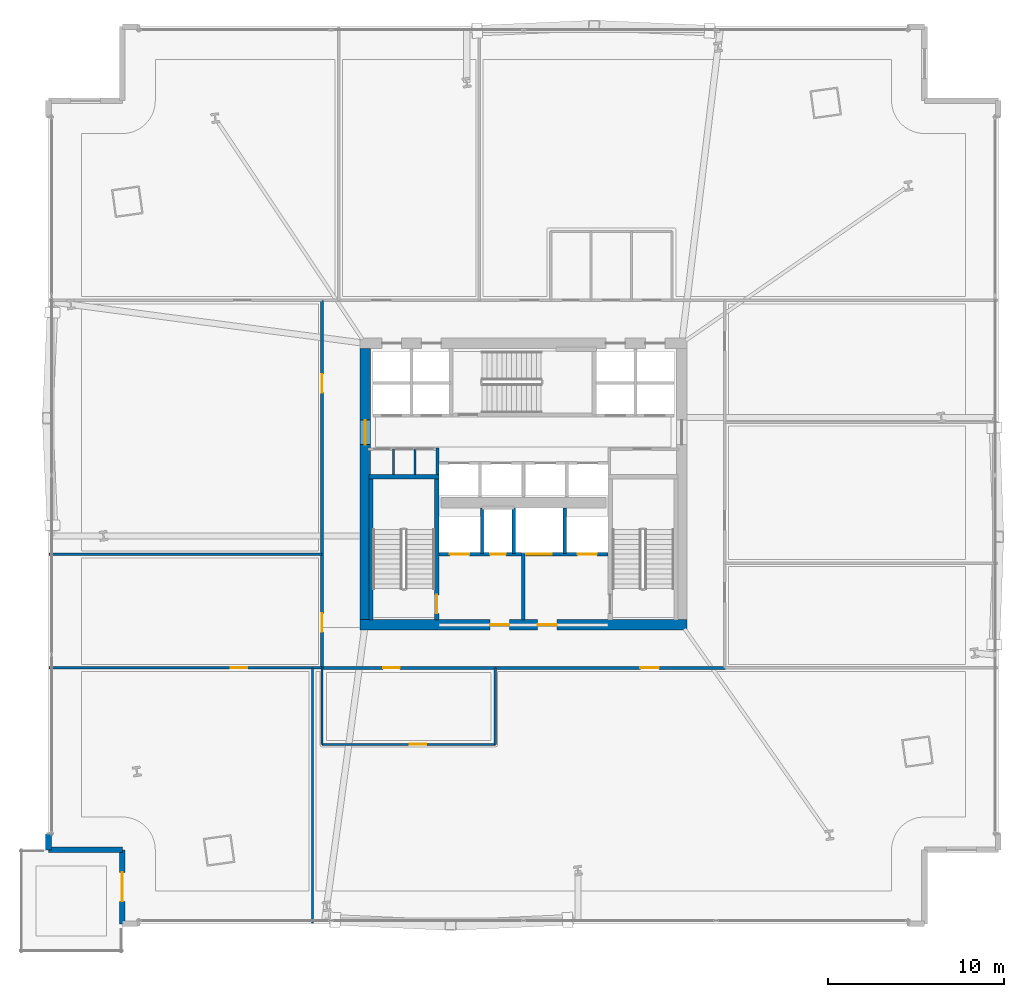
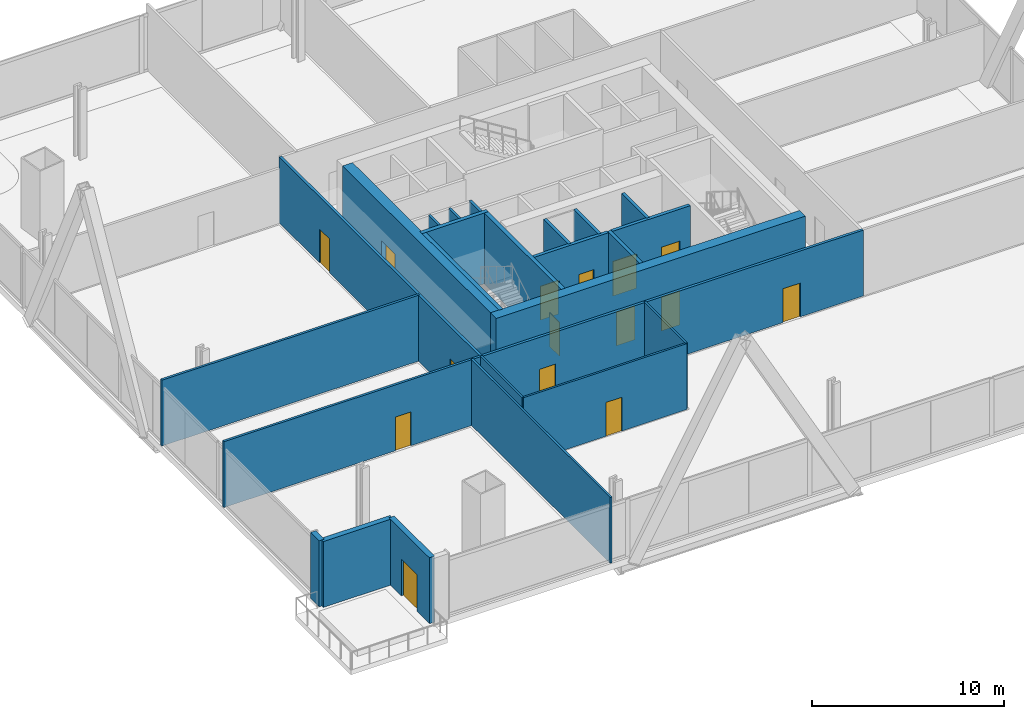
# One storey, part 20 of 29: 25 walls, 15 doors, 15 openings.
"""IFC4 building model written with IfcOpenShell, lengths in metres."""

from ifc_helpers import new_model, si_unit, direction, frame, frame_2d, origin, place, context, subcontext, project, spatial, rectangle, extrude, material, layer, layer_set, type_object, element, fill, save


model = new_model("IFC4")

# Units and contexts
model_context = context("Model", 3, precision=1e-05, world=origin(), true_north=direction((0.0, 1.0)))
body_context = subcontext(model_context, "Body", "Model", "MODEL_VIEW")
ifc_project = project(units=[si_unit("LENGTHUNIT", "METRE"), si_unit("AREAUNIT", "SQUARE_METRE"), si_unit("VOLUMEUNIT", "CUBIC_METRE"), si_unit("PLANEANGLEUNIT", "RADIAN"), si_unit("MASSUNIT", "GRAM", prefix="KILO")], contexts=[model_context])

# Site, building, storey
site_placement = place(None, origin())
site = spatial("IfcSite", under=ifc_project, at=site_placement, CompositionType="ELEMENT")
building_placement = place(site_placement, origin())
building = spatial("IfcBuilding", under=site, at=building_placement, Name="Haldenkirk Collegiate Tower", CompositionType="ELEMENT")
storey_placement = place(building_placement, frame((0.0, 0.0, 28.199951171875)))
storey = spatial("IfcBuildingStorey", under=building, at=storey_placement, Name="L05", CompositionType="ELEMENT", Elevation=28.199951171875)

# Wall, openings, doors
ifc_material_1 = material(Name="Concrete f'c 70 MPa", Category="concrete")
ifc_layer_1 = layer(ifc_material_1, 0.60009765625)
ifc_layer_set_1 = layer_set([ifc_layer_1], Name="Concrete f'c 70 MPa")
wall_type_1 = type_object("IfcWallType", Name="WL-CORE-600", PredefinedType="SHEAR", material=ifc_layer_set_1)
wall_1_placement = place(storey_placement, frame((26.699951171875, 18.0, 0.0), z_axis=(0.0, 0.0, 1.0), x_axis=(1.0, 0.0, 0.0)))
wall_1 = element("IfcWall", 1, at=wall_1_placement, inside=storey, type_object=wall_type_1, Name="L05 central core shear wall S", PredefinedType="SHEAR", context=body_context, shape_type="SweptSolid", body=[
    extrude(rectangle(XDim=18.60009765625, YDim=0.60009765625, at=frame_2d((9.300048828125, 0.0))), origin(), (0.0, 0.0, 1.0), 4.5),
])
opening_1_placement = place(wall_1_placement, frame((7.39990234375, 0.0, 0.0)))
opening_1 = element("IfcOpeningElement", 2, at=opening_1_placement, cuts=wall_1, Name="Opening D-02", PredefinedType="OPENING", context=body_context, shape_type="SweptSolid", body=[
    extrude(rectangle(XDim=1.10009765625, YDim=2.14990234375, at=frame_2d((0.550048828125, 1.074951171875))), frame((0.0, 0.31005859375, 0.0), z_axis=(0.0, -1.0, 0.0), x_axis=(1.0, 0.0, 0.0)), (0.0, 0.0, 1.0), 0.6201171875),
])
opening_2_placement = place(wall_1_placement, frame((10.10009765625, 0.0, 0.0)))
opening_2 = element("IfcOpeningElement", 3, at=opening_2_placement, cuts=wall_1, Name="Opening D-02", PredefinedType="OPENING", context=body_context, shape_type="SweptSolid", body=[
    extrude(rectangle(XDim=1.10009765625, YDim=2.14990234375, at=frame_2d((0.550048828125, 1.074951171875))), frame((0.0, 0.31005859375, 0.0), z_axis=(0.0, -1.0, 0.0), x_axis=(1.0, 0.0, 0.0)), (0.0, 0.0, 1.0), 0.6201171875),
])
ifc_material_2 = material(Name="Galvanized fire-rated hollow steel door", Category="steel")
ifc_layer_2 = layer(ifc_material_2, 0.06005859375)
ifc_layer_set_2 = layer_set([ifc_layer_2], Name="Galvanized fire-rated hollow steel door")
door_type_1 = type_object("IfcDoorType", Name="DR-STAIR-FD90-1100", OperationType="NOTDEFINED", PredefinedType="DOOR", material=ifc_layer_set_2)
door_1_placement = place(opening_1_placement, origin())
door_1 = element("IfcDoor", 4, at=door_1_placement, inside=storey, type_object=door_type_1, Name="L05 Firefighting Lobby 1 door", OperationType="SINGLE_SWING_LEFT", OverallHeight=2.14990234375, OverallWidth=1.10009765625, PredefinedType="DOOR", context=body_context, shape_type="SweptSolid", body=[
    extrude(rectangle(XDim=1.10009765625, YDim=2.14990234375, at=frame_2d((0.550048828125, 1.074951171875))), frame((0.0, 0.02490234375, 0.0), z_axis=(0.0, -1.0, 0.0), x_axis=(1.0, 0.0, 0.0)), (0.0, 0.0, 1.0), 0.050048828125),
])
fill(opening_1, door_1)
door_2_placement = place(opening_2_placement, origin())
door_2 = element("IfcDoor", 5, at=door_2_placement, inside=storey, type_object=door_type_1, Name="L05 Firefighting Lobby 2 door", OperationType="SINGLE_SWING_RIGHT", OverallHeight=2.14990234375, OverallWidth=1.10009765625, PredefinedType="DOOR", context=body_context, shape_type="SweptSolid", body=[
    extrude(rectangle(XDim=1.10009765625, YDim=2.14990234375, at=frame_2d((0.550048828125, 1.074951171875))), frame((0.0, 0.02490234375, 0.0), z_axis=(0.0, -1.0, 0.0), x_axis=(1.0, 0.0, 0.0)), (0.0, 0.0, 1.0), 0.050048828125),
])
fill(opening_2, door_2)

# Wall, opening, door
wall_2_placement = place(storey_placement, frame((27.0, 18.300048828125, 0.0), z_axis=(0.0, 0.0, 1.0), x_axis=(0.0, 1.0, 0.0)))
wall_2 = element("IfcWall", 6, at=wall_2_placement, inside=storey, type_object=wall_type_1, Name="L05 central core shear wall W", PredefinedType="SHEAR", context=body_context, shape_type="SweptSolid", body=[
    extrude(rectangle(XDim=15.39990234375, YDim=0.60009765625, at=frame_2d((7.699951171875, 0.0))), origin(), (0.0, 0.0, 1.0), 4.5),
])
opening_3_placement = place(wall_2_placement, frame((9.93994140625, 0.0, 0.0)))
opening_3 = element("IfcOpeningElement", 7, at=opening_3_placement, cuts=wall_2, Name="Opening D-03", PredefinedType="OPENING", context=body_context, shape_type="SweptSolid", body=[
    extrude(rectangle(XDim=1.39990234375, YDim=2.199951171875, at=frame_2d((0.699951171875, 1.10009765625))), frame((0.0, 0.31005859375, 0.0), z_axis=(0.0, -1.0, 0.0), x_axis=(1.0, 0.0, 0.0)), (0.0, 0.0, 1.0), 0.6201171875),
])
ifc_layer_3 = layer(ifc_material_2, 0.06005859375)
ifc_layer_set_3 = layer_set([ifc_layer_3], Name="Galvanized fire-rated hollow steel door")
door_type_2 = type_object("IfcDoorType", Name="DR-LOBBY-FD90-1400", OperationType="NOTDEFINED", PredefinedType="DOOR", material=ifc_layer_set_3)
door_3_placement = place(opening_3_placement, origin())
door_3 = element("IfcDoor", 8, at=door_3_placement, inside=storey, type_object=door_type_2, Name="L05 west lift lobby portal", OperationType="DOUBLE_DOOR_SINGLE_SWING", OverallHeight=2.199951171875, OverallWidth=1.39990234375, PredefinedType="DOOR", context=body_context, shape_type="SweptSolid", body=[
    extrude(rectangle(XDim=1.39990234375, YDim=2.199951171875, at=frame_2d((0.699951171875, 1.10009765625))), frame((0.0, 0.02490234375, 0.0), z_axis=(0.0, -1.0, 0.0), x_axis=(1.0, 0.0, 0.0)), (0.0, 0.0, 1.0), 0.050048828125),
])
fill(opening_3, door_3)

# Walls
ifc_material_3 = material(Name="Precast concrete f'c 40 MPa", Category="concrete")
ifc_layer_4 = layer(ifc_material_3, 0.320068359375)
ifc_layer_set_4 = layer_set([ifc_layer_4], Name="Precast concrete f'c 40 MPa")
wall_type_2 = type_object("IfcWallType", Name="WL-EXT-TWR-320", PredefinedType="STANDARD", material=ifc_layer_set_4)
wall_3_placement = place(storey_placement, frame((9.0, 5.199951171875, 0.0), z_axis=(0.0, 0.0, 1.0), x_axis=(0.0, 1.0, 0.0)))
element("IfcWall", 9, at=wall_3_placement, inside=storey, type_object=wall_type_2, Name="L05 precast corner pier WL", PredefinedType="STANDARD", context=body_context, shape_type="SweptSolid", body=[
    extrude(rectangle(XDim=0.900146484375, YDim=0.320068359375, at=frame_2d((0.4501953125, 0.0))), origin(), (0.0, 0.0, 1.0), 4.18994140625),
])
wall_4_placement = place(storey_placement, frame((13.199951171875, 5.199951171875, 0.0), z_axis=(0.0, 0.0, 1.0), x_axis=(-1.0, 0.0, 0.0)))
element("IfcWall", 10, at=wall_4_placement, inside=storey, type_object=wall_type_2, Name="L05 bronze precast notch wall 11", PredefinedType="STANDARD", context=body_context, shape_type="SweptSolid", body=[
    extrude(rectangle(XDim=4.199951171875, YDim=0.320068359375, at=frame_2d((2.10009765625, 0.0))), origin(), (0.0, 0.0, 1.0), 4.18994140625),
])

# Wall, opening, door
wall_5_placement = place(storey_placement, frame((13.199951171875, 1.0, 0.0), z_axis=(0.0, 0.0, 1.0), x_axis=(0.0, 1.0, 0.0)))
wall_5 = element("IfcWall", 11, at=wall_5_placement, inside=storey, type_object=wall_type_2, Name="L05 bronze precast notch wall 12", PredefinedType="STANDARD", context=body_context, shape_type="SweptSolid", body=[
    extrude(rectangle(XDim=4.199951171875, YDim=0.320068359375, at=frame_2d((2.10009765625, 0.0))), origin(), (0.0, 0.0, 1.0), 4.18994140625),
])
opening_4_placement = place(wall_5_placement, frame((1.27490234375, 0.0, 0.0)))
opening_4 = element("IfcOpeningElement", 12, at=opening_4_placement, cuts=wall_5, Name="Opening D-SG16", PredefinedType="OPENING", context=body_context, shape_type="SweptSolid", body=[
    extrude(rectangle(XDim=1.64990234375, YDim=2.35009765625, at=frame_2d((0.824951171875, 1.175048828125))), frame((0.0, 0.169921875, 0.0), z_axis=(0.0, -1.0, 0.0), x_axis=(1.0, 0.0, 0.0)), (0.0, 0.0, 1.0), 0.340087890625),
])
ifc_material_4 = material(Name="Anodised architectural bronze aluminium", Category="aluminium")
ifc_layer_5 = layer(ifc_material_4, 0.080078125)
ifc_layer_set_5 = layer_set([ifc_layer_5], Name="Anodised architectural bronze aluminium")
door_type_3 = type_object("IfcDoorType", Name="DR-EXT-SGAR-1650", OperationType="NOTDEFINED", PredefinedType="DOOR", material=ifc_layer_set_5)
door_4_placement = place(opening_4_placement, origin())
door_4 = element("IfcDoor", 13, at=door_4_placement, inside=storey, type_object=door_type_3, Name="L05 sky-garden door", OperationType="DOUBLE_DOOR_SINGLE_SWING", OverallHeight=2.35009765625, OverallWidth=1.64990234375, PredefinedType="DOOR", context=body_context, shape_type="SweptSolid", body=[
    extrude(rectangle(XDim=1.64990234375, YDim=2.35009765625, at=frame_2d((0.824951171875, 1.175048828125))), frame((0.0, 0.02490234375, 0.0), z_axis=(0.0, -1.0, 0.0), x_axis=(1.0, 0.0, 0.0)), (0.0, 0.0, 1.0), 0.050048828125),
])
fill(opening_4, door_4)

# Wall
ifc_material_5 = material(Name="Acoustic fire-rated gypsum partition", Category="concrete")
ifc_layer_6 = layer(ifc_material_5, 0.159912109375)
ifc_layer_set_6 = layer_set([ifc_layer_6], Name="Acoustic fire-rated gypsum partition")
wall_type_3 = type_object("IfcWallType", Name="WL-INT-CORR-160", PredefinedType="PARTITIONING", material=ifc_layer_set_6)
wall_6_placement = place(storey_placement, frame((31.1201171875, 26.5400390625, 0.0), z_axis=(0.0, 0.0, 1.0), x_axis=(0.0, 1.0, 0.0)))
element("IfcWall", 14, at=wall_6_placement, inside=storey, type_object=wall_type_3, Name="L05 interior partition IW-L05-VCSW-E", PredefinedType="PARTITIONING", context=body_context, shape_type="SweptSolid", body=[
    extrude(rectangle(XDim=1.510009765625, YDim=0.159912109375, at=frame_2d((0.7548828125, 0.0))), origin(), (0.0, 0.0, 1.0), 4.18994140625),
])

# Wall, openings, doors
wall_7_placement = place(storey_placement, frame((24.5, 15.550048828125, 0.0), z_axis=(0.0, 0.0, 1.0), x_axis=(1.0, 0.0, 0.0)))
wall_7 = element("IfcWall", 15, at=wall_7_placement, inside=storey, type_object=wall_type_3, Name="L05 interior partition IW-L05-CS", PredefinedType="PARTITIONING", context=body_context, shape_type="SweptSolid", body=[
    extrude(rectangle(XDim=23.0, YDim=0.159912109375, at=frame_2d((11.5, 0.0))), origin(), (0.0, 0.0, 1.0), 4.18994140625),
])
opening_5_placement = place(wall_7_placement, frame((3.52490234375, 0.0, 0.0)))
opening_5 = element("IfcOpeningElement", 16, at=opening_5_placement, cuts=wall_7, Name="Opening D-10", PredefinedType="OPENING", context=body_context, shape_type="SweptSolid", body=[
    extrude(rectangle(XDim=0.949951171875, YDim=2.14990234375, at=frame_2d((0.47509765625, 1.074951171875))), frame((0.0, 0.08984375, 0.0), z_axis=(0.0, -1.0, 0.0), x_axis=(1.0, 0.0, 0.0)), (0.0, 0.0, 1.0), 0.179931640625),
])
opening_6_placement = place(wall_7_placement, frame((18.15087890625, 0.0, 0.0)))
opening_6 = element("IfcOpeningElement", 17, at=opening_6_placement, cuts=wall_7, Name="Opening D-09", PredefinedType="OPENING", context=body_context, shape_type="SweptSolid", body=[
    extrude(rectangle(XDim=1.050048828125, YDim=2.14990234375, at=frame_2d((0.52490234375, 1.074951171875))), frame((0.0, 0.08984375, 0.0), z_axis=(0.0, -1.0, 0.0), x_axis=(1.0, 0.0, 0.0)), (0.0, 0.0, 1.0), 0.179931640625),
])
ifc_material_6 = material(Name="Solid-core architectural oak fire door", Category="wood")
ifc_layer_7 = layer(ifc_material_6, 0.06005859375)
ifc_layer_set_7 = layer_set([ifc_layer_7], Name="Solid-core architectural oak fire door")
door_type_4 = type_object("IfcDoorType", Name="DR-INT-FD60-1050", OperationType="NOTDEFINED", PredefinedType="DOOR", material=ifc_layer_set_7)
door_5_placement = place(opening_6_placement, origin())
door_5 = element("IfcDoor", 18, at=door_5_placement, inside=storey, type_object=door_type_4, Name="L05 Senior Fellow Office 2 door", OperationType="SINGLE_SWING_RIGHT", OverallHeight=2.14990234375, OverallWidth=1.050048828125, PredefinedType="DOOR", context=body_context, shape_type="SweptSolid", body=[
    extrude(rectangle(XDim=1.050048828125, YDim=2.14990234375, at=frame_2d((0.52490234375, 1.074951171875))), frame((0.0, 0.02490234375, 0.0), z_axis=(0.0, -1.0, 0.0), x_axis=(1.0, 0.0, 0.0)), (0.0, 0.0, 1.0), 0.050048828125),
])
fill(opening_6, door_5)
ifc_layer_8 = layer(ifc_material_6, 0.06005859375)
ifc_layer_set_8 = layer_set([ifc_layer_8], Name="Solid-core architectural oak fire door")
door_type_5 = type_object("IfcDoorType", Name="DR-INT-FD60-950", OperationType="NOTDEFINED", PredefinedType="DOOR", material=ifc_layer_set_8)
door_6_placement = place(opening_5_placement, origin())
door_6 = element("IfcDoor", 19, at=door_6_placement, inside=storey, type_object=door_type_5, Name="L05 Inner Research Focus Room corridor door", OperationType="SINGLE_SWING_LEFT", OverallHeight=2.14990234375, OverallWidth=0.949951171875, PredefinedType="DOOR", context=body_context, shape_type="SweptSolid", body=[
    extrude(rectangle(XDim=0.949951171875, YDim=2.14990234375, at=frame_2d((0.47509765625, 1.074951171875))), frame((0.0, 0.02490234375, 0.0), z_axis=(0.0, -1.0, 0.0), x_axis=(1.0, 0.0, 0.0)), (0.0, 0.0, 1.0), 0.050048828125),
])
fill(opening_5, door_6)

wall_8_placement = place(storey_placement, frame((24.550048828125, 15.550048828125, 0.0), z_axis=(0.0, 0.0, 1.0), x_axis=(0.0, 1.0, 0.0)))
wall_8 = element("IfcWall", 20, at=wall_8_placement, inside=storey, type_object=wall_type_3, Name="L05 interior partition IW-L05-CW", PredefinedType="PARTITIONING", context=body_context, shape_type="SweptSolid", body=[
    extrude(rectangle(XDim=20.89990234375, YDim=0.159912109375, at=frame_2d((10.449951171875, 0.0))), origin(), (0.0, 0.0, 1.0), 4.18994140625),
])
opening_7_placement = place(wall_8_placement, frame((2.052001953125, 0.0, 0.0)))
opening_7 = element("IfcOpeningElement", 21, at=opening_7_placement, cuts=wall_8, Name="Opening D-09", PredefinedType="OPENING", context=body_context, shape_type="SweptSolid", body=[
    extrude(rectangle(XDim=1.050048828125, YDim=2.14990234375, at=frame_2d((0.52490234375, 1.074951171875))), frame((0.0, 0.08984375, 0.0), z_axis=(0.0, -1.0, 0.0), x_axis=(1.0, 0.0, 0.0)), (0.0, 0.0, 1.0), 0.179931640625),
])
opening_8_placement = place(wall_8_placement, frame((15.64501953125, 0.0, 0.0)))
opening_8 = element("IfcOpeningElement", 22, at=opening_8_placement, cuts=wall_8, Name="Opening D-09", PredefinedType="OPENING", context=body_context, shape_type="SweptSolid", body=[
    extrude(rectangle(XDim=1.050048828125, YDim=2.14990234375, at=frame_2d((0.52490234375, 1.074951171875))), frame((0.0, 0.08984375, 0.0), z_axis=(0.0, -1.0, 0.0), x_axis=(1.0, 0.0, 0.0)), (0.0, 0.0, 1.0), 0.179931640625),
])
door_7_placement = place(opening_7_placement, origin())
door_7 = element("IfcDoor", 23, at=door_7_placement, inside=storey, type_object=door_type_4, Name="L05 Curator Office 6 door", OperationType="SINGLE_SWING_RIGHT", OverallHeight=2.14990234375, OverallWidth=1.050048828125, PredefinedType="DOOR", context=body_context, shape_type="SweptSolid", body=[
    extrude(rectangle(XDim=1.050048828125, YDim=2.14990234375, at=frame_2d((0.52490234375, 1.074951171875))), frame((0.0, 0.02490234375, 0.0), z_axis=(0.0, -1.0, 0.0), x_axis=(1.0, 0.0, 0.0)), (0.0, 0.0, 1.0), 0.050048828125),
])
fill(opening_7, door_7)
door_8_placement = place(opening_8_placement, origin())
door_8 = element("IfcDoor", 24, at=door_8_placement, inside=storey, type_object=door_type_4, Name="L05 Faculty Office 7 door", OperationType="SINGLE_SWING_LEFT", OverallHeight=2.14990234375, OverallWidth=1.050048828125, PredefinedType="DOOR", context=body_context, shape_type="SweptSolid", body=[
    extrude(rectangle(XDim=1.050048828125, YDim=2.14990234375, at=frame_2d((0.52490234375, 1.074951171875))), frame((0.0, 0.02490234375, 0.0), z_axis=(0.0, -1.0, 0.0), x_axis=(1.0, 0.0, 0.0)), (0.0, 0.0, 1.0), 0.050048828125),
])
fill(opening_8, door_8)

# Wall, opening, door
ifc_layer_9 = layer(ifc_material_5, 0.139892578125)
ifc_layer_set_9 = layer_set([ifc_layer_9], Name="Acoustic fire-rated gypsum partition")
wall_type_4 = type_object("IfcWallType", Name="WL-INT-DIV-140", PredefinedType="PARTITIONING", material=ifc_layer_set_9)
wall_9_placement = place(storey_placement, frame((9.0400390625, 15.550048828125, 0.0), z_axis=(0.0, 0.0, 1.0), x_axis=(1.0, 0.0, 0.0)))
wall_9 = element("IfcWall", 25, at=wall_9_placement, inside=storey, type_object=wall_type_4, Name="L05 interior partition IW-L05-BWS", PredefinedType="PARTITIONING", context=body_context, shape_type="SweptSolid", body=[
    extrude(rectangle(XDim=15.510009765625, YDim=0.139892578125, at=frame_2d((7.7548828125, 0.0))), origin(), (0.0, 0.0, 1.0), 4.18994140625),
])
opening_9_placement = place(wall_9_placement, frame((10.31298828125, 0.0, 0.0)))
opening_9 = element("IfcOpeningElement", 26, at=opening_9_placement, cuts=wall_9, Name="Opening D-12", PredefinedType="OPENING", context=body_context, shape_type="SweptSolid", body=[
    extrude(rectangle(XDim=0.949951171875, YDim=2.14990234375, at=frame_2d((0.47509765625, 1.074951171875))), frame((0.0, 0.079833984375, 0.0), z_axis=(0.0, -1.0, 0.0), x_axis=(1.0, 0.0, 0.0)), (0.0, 0.0, 1.0), 0.159912109375),
])
ifc_layer_10 = layer(ifc_material_6, 0.06005859375)
ifc_layer_set_10 = layer_set([ifc_layer_10], Name="Solid-core architectural oak fire door")
door_type_6 = type_object("IfcDoorType", Name="DR-INT-STD-950", OperationType="NOTDEFINED", PredefinedType="DOOR", material=ifc_layer_set_10)
door_9_placement = place(opening_9_placement, origin())
door_9 = element("IfcDoor", 27, at=door_9_placement, inside=storey, type_object=door_type_6, Name="L05 Sky-Garden Botanical Conservatory door", OperationType="SINGLE_SWING_LEFT", OverallHeight=2.14990234375, OverallWidth=0.949951171875, PredefinedType="DOOR", context=body_context, shape_type="SweptSolid", body=[
    extrude(rectangle(XDim=0.949951171875, YDim=2.14990234375, at=frame_2d((0.47509765625, 1.074951171875))), frame((0.0, 0.02490234375, 0.0), z_axis=(0.0, -1.0, 0.0), x_axis=(1.0, 0.0, 0.0)), (0.0, 0.0, 1.0), 0.050048828125),
])
fill(opening_9, door_9)

# Walls
wall_10_placement = place(storey_placement, frame((9.0400390625, 22.0, 0.0), z_axis=(0.0, 0.0, 1.0), x_axis=(1.0, 0.0, 0.0)))
element("IfcWall", 28, at=wall_10_placement, inside=storey, type_object=wall_type_4, Name="L05 interior partition IW-L05-RW1", PredefinedType="PARTITIONING", context=body_context, shape_type="SweptSolid", body=[
    extrude(rectangle(XDim=15.510009765625, YDim=0.139892578125, at=frame_2d((7.7548828125, 0.0))), origin(), (0.0, 0.0, 1.0), 4.18994140625),
])
ifc_material_7 = material(Name="Fire-rated gypsum shaftboard assembly", Category="concrete")
ifc_layer_11 = layer(ifc_material_7, 0.179931640625)
ifc_layer_set_11 = layer_set([ifc_layer_11], Name="Fire-rated gypsum shaftboard assembly")
wall_type_5 = type_object("IfcWallType", Name="WL-INT-SHAFT-180", PredefinedType="PARTITIONING", material=ifc_layer_set_11)
for number, where, z_axis, x_axis, name in (
    (29, (33.64990234375, 22.050048828125, 0.0), (0.0, 0.0, 1.0), (0.0, 1.0, 0.0), "L05 interior partition IW-L05-FL1E"),
    (30, (35.449951171875, 22.050048828125, 0.0), (0.0, 0.0, 1.0), (0.0, 1.0, 0.0), "L05 interior partition IW-L05-GL1W"),
    (31, (38.35009765625, 22.050048828125, 0.0), (0.0, 0.0, 1.0), (0.0, 1.0, 0.0), "L05 interior partition IW-L05-GL1E"),
):
    element("IfcWall", number, at=place(storey_placement, frame(where, z_axis=z_axis, x_axis=x_axis)), inside=storey, type_object=wall_type_5, Name=name, PredefinedType="PARTITIONING", context=body_context, shape_type="SweptSolid", body=[
        extrude(rectangle(XDim=2.599853515625, YDim=0.179931640625, at=frame_2d((1.2998046875, 0.0))), origin(), (0.0, 0.0, 1.0), 4.18994140625),
    ])
ifc_layer_12 = layer(ifc_material_7, 0.199951171875)
ifc_layer_set_12 = layer_set([ifc_layer_12], Name="Fire-rated gypsum shaftboard assembly")
wall_type_6 = type_object("IfcWallType", Name="WL-INT-SHAFT-200", PredefinedType="PARTITIONING", material=ifc_layer_set_12)
wall_11_placement = place(storey_placement, frame((36.0, 18.280029296875, 0.0), z_axis=(0.0, 0.0, 1.0), x_axis=(0.0, 1.0, 0.0)))
element("IfcWall", 32, at=wall_11_placement, inside=storey, type_object=wall_type_6, Name="L05 interior partition IW-L05-FFLM", PredefinedType="PARTITIONING", context=body_context, shape_type="SweptSolid", body=[
    extrude(rectangle(XDim=3.77001953125, YDim=0.199951171875, at=frame_2d((1.885009765625, 0.0))), origin(), (0.0, 0.0, 1.0), 4.18994140625),
])

# Wall, openings, doors
wall_12_placement = place(storey_placement, frame((31.18994140625, 22.0, 0.0), z_axis=(0.0, 0.0, 1.0), x_axis=(1.0, 0.0, 0.0)))
wall_12 = element("IfcWall", 33, at=wall_12_placement, inside=storey, type_object=wall_type_6, Name="L05 interior partition IW-L05-FFL1N", PredefinedType="PARTITIONING", context=body_context, shape_type="SweptSolid", body=[
    extrude(rectangle(XDim=4.68994140625, YDim=0.199951171875, at=frame_2d((2.344970703125, 0.0))), origin(), (0.0, 0.0, 1.0), 4.18994140625),
])
opening_10_placement = place(wall_12_placement, frame((2.909912109375, 0.0, 0.0)))
opening_10 = element("IfcOpeningElement", 34, at=opening_10_placement, cuts=wall_12, Name="Opening D-06", PredefinedType="OPENING", context=body_context, shape_type="SweptSolid", body=[
    extrude(rectangle(XDim=0.89990234375, YDim=2.14990234375, at=frame_2d((0.449951171875, 1.074951171875))), frame((0.0, 0.10986328125, 0.0), z_axis=(0.0, -1.0, 0.0), x_axis=(1.0, 0.0, 0.0)), (0.0, 0.0, 1.0), 0.219970703125),
])
opening_11_placement = place(wall_12_placement, frame((0.635009765625, 0.0, 0.0)))
opening_11 = element("IfcOpeningElement", 35, at=opening_11_placement, cuts=wall_12, Name="Opening LD-12", PredefinedType="OPENING", context=body_context, shape_type="SweptSolid", body=[
    extrude(rectangle(XDim=1.10009765625, YDim=2.14990234375, at=frame_2d((0.550048828125, 1.074951171875))), frame((0.0, 0.10986328125, 0.0), z_axis=(0.0, -1.0, 0.0), x_axis=(1.0, 0.0, 0.0)), (0.0, 0.0, 1.0), 0.219970703125),
])
ifc_layer_13 = layer(ifc_material_2, 0.06005859375)
ifc_layer_set_13 = layer_set([ifc_layer_13], Name="Galvanized fire-rated hollow steel door")
door_type_7 = type_object("IfcDoorType", Name="DR-INT-FD90-900", OperationType="NOTDEFINED", PredefinedType="DOOR", material=ifc_layer_set_13)
door_10_placement = place(opening_10_placement, origin())
door_10 = element("IfcDoor", 36, at=door_10_placement, inside=storey, type_object=door_type_7, Name="L05 electrical riser door", OperationType="SINGLE_SWING_LEFT", OverallHeight=2.14990234375, OverallWidth=0.89990234375, PredefinedType="DOOR", context=body_context, shape_type="SweptSolid", body=[
    extrude(rectangle(XDim=0.89990234375, YDim=2.14990234375, at=frame_2d((0.449951171875, 1.074951171875))), frame((0.0, 0.02490234375, 0.0), z_axis=(0.0, -1.0, 0.0), x_axis=(1.0, 0.0, 0.0)), (0.0, 0.0, 1.0), 0.050048828125),
])
fill(opening_10, door_10)
ifc_material_8 = material(Name="Brushed architectural stainless steel", Category="steel")
ifc_layer_14 = layer(ifc_material_8, 0.06005859375)
ifc_layer_set_14 = layer_set([ifc_layer_14], Name="Brushed architectural stainless steel")
door_type_8 = type_object("IfcDoorType", Name="LD-FIRE-1100", OperationType="NOTDEFINED", PredefinedType="DOOR", material=ifc_layer_set_14)
door_11_placement = place(opening_11_placement, origin())
door_11 = element("IfcDoor", 37, at=door_11_placement, inside=storey, type_object=door_type_8, Name="L05 Elevator FL1 sliding landing door", OperationType="SLIDING_TO_LEFT", OverallHeight=2.14990234375, OverallWidth=1.10009765625, PredefinedType="DOOR", context=body_context, shape_type="SweptSolid", body=[
    extrude(rectangle(XDim=1.10009765625, YDim=2.14990234375, at=frame_2d((0.550048828125, 1.074951171875))), frame((0.0, 0.02490234375, 0.0), z_axis=(0.0, -1.0, 0.0), x_axis=(1.0, 0.0, 0.0)), (0.0, 0.0, 1.0), 0.050048828125),
])
fill(opening_11, door_11)

wall_13_placement = place(storey_placement, frame((36.1201171875, 22.0, 0.0), z_axis=(0.0, 0.0, 1.0), x_axis=(1.0, 0.0, 0.0)))
wall_13 = element("IfcWall", 38, at=wall_13_placement, inside=storey, type_object=wall_type_6, Name="L05 interior partition IW-L05-FFL2N", PredefinedType="PARTITIONING", context=body_context, shape_type="SweptSolid", body=[
    extrude(rectangle(XDim=4.68994140625, YDim=0.199951171875, at=frame_2d((2.344970703125, 0.0))), origin(), (0.0, 0.0, 1.0), 4.18994140625),
])
opening_12_placement = place(wall_13_placement, frame((2.955078125, 0.0, 0.0)))
opening_12 = element("IfcOpeningElement", 39, at=opening_12_placement, cuts=wall_13, Name="Opening LD-12", PredefinedType="OPENING", context=body_context, shape_type="SweptSolid", body=[
    extrude(rectangle(XDim=1.10009765625, YDim=2.14990234375, at=frame_2d((0.550048828125, 1.074951171875))), frame((0.0, 0.10986328125, 0.0), z_axis=(0.0, -1.0, 0.0), x_axis=(1.0, 0.0, 0.0)), (0.0, 0.0, 1.0), 0.219970703125),
])
opening_13_placement = place(wall_13_placement, frame((0.080078125, 0.0, 0.0)))
opening_13 = element("IfcOpeningElement", 40, at=opening_13_placement, cuts=wall_13, Name="Opening LD-13", PredefinedType="OPENING", context=body_context, shape_type="SweptSolid", body=[
    extrude(rectangle(XDim=1.39990234375, YDim=2.199951171875, at=frame_2d((0.699951171875, 1.10009765625))), frame((0.0, 0.10986328125, 0.0), z_axis=(0.0, -1.0, 0.0), x_axis=(1.0, 0.0, 0.0)), (0.0, 0.0, 1.0), 0.219970703125),
])
door_12_placement = place(opening_12_placement, origin())
door_12 = element("IfcDoor", 41, at=door_12_placement, inside=storey, type_object=door_type_8, Name="L05 Elevator FL2 sliding landing door", OperationType="SLIDING_TO_LEFT", OverallHeight=2.14990234375, OverallWidth=1.10009765625, PredefinedType="DOOR", context=body_context, shape_type="SweptSolid", body=[
    extrude(rectangle(XDim=1.10009765625, YDim=2.14990234375, at=frame_2d((0.550048828125, 1.074951171875))), frame((0.0, 0.02490234375, 0.0), z_axis=(0.0, -1.0, 0.0), x_axis=(1.0, 0.0, 0.0)), (0.0, 0.0, 1.0), 0.050048828125),
])
fill(opening_12, door_12)
ifc_layer_15 = layer(ifc_material_8, 0.06005859375)
ifc_layer_set_15 = layer_set([ifc_layer_15], Name="Brushed architectural stainless steel")
door_type_9 = type_object("IfcDoorType", Name="LD-GOODS-1400", OperationType="NOTDEFINED", PredefinedType="DOOR", material=ifc_layer_set_15)
door_13_placement = place(opening_13_placement, origin())
door_13 = element("IfcDoor", 42, at=door_13_placement, inside=storey, type_object=door_type_9, Name="L05 Elevator GL1 sliding landing door", OperationType="SLIDING_TO_LEFT", OverallHeight=2.199951171875, OverallWidth=1.39990234375, PredefinedType="DOOR", context=body_context, shape_type="SweptSolid", body=[
    extrude(rectangle(XDim=1.39990234375, YDim=2.199951171875, at=frame_2d((0.699951171875, 1.10009765625))), frame((0.0, 0.02490234375, 0.0), z_axis=(0.0, -1.0, 0.0), x_axis=(1.0, 0.0, 0.0)), (0.0, 0.0, 1.0), 0.050048828125),
])
fill(opening_13, door_13)

# Walls
ifc_layer_16 = layer(ifc_material_5, 0.1201171875)
ifc_layer_set_16 = layer_set([ifc_layer_16], Name="Acoustic fire-rated gypsum partition")
wall_type_7 = type_object("IfcWallType", Name="WL-INT-WET-120", PredefinedType="PARTITIONING", material=ifc_layer_set_16)
for number, where, z_axis, x_axis, name in (
    (43, (28.6201171875, 26.5400390625, 0.0), (0.0, 0.0, 1.0), (0.0, 1.0, 0.0), "L05 interior partition IW-L05-VCSW-M1"),
    (44, (29.840087890625, 26.5400390625, 0.0), (0.0, 0.0, 1.0), (0.0, 1.0, 0.0), "L05 interior partition IW-L05-VCSW-M2"),
):
    element("IfcWall", number, at=place(storey_placement, frame(where, z_axis=z_axis, x_axis=x_axis)), inside=storey, type_object=wall_type_7, Name=name, PredefinedType="PARTITIONING", context=body_context, shape_type="SweptSolid", body=[
        extrude(rectangle(XDim=1.43994140625, YDim=0.1201171875, at=frame_2d((0.719970703125, 0.0))), origin(), (0.0, 0.0, 1.0), 4.18994140625),
    ])
wall_14_placement = place(storey_placement, frame((24.0, 1.0400390625, 0.0), z_axis=(0.0, 0.0, 1.0), x_axis=(0.0, 1.0, 0.0)))
element("IfcWall", 45, at=wall_14_placement, inside=storey, type_object=wall_type_7, Name="L05 interior partition IW-L05-RS1", PredefinedType="PARTITIONING", context=body_context, shape_type="SweptSolid", body=[
    extrude(rectangle(XDim=14.510009765625, YDim=0.1201171875, at=frame_2d((7.2548828125, 0.0))), origin(), (0.0, 0.0, 1.0), 4.18994140625),
])
wall_15_placement = place(storey_placement, frame((24.550048828125, 11.199951171875, 0.0), z_axis=(0.0, 0.0, 1.0), x_axis=(0.0, 1.0, 0.0)))
element("IfcWall", 46, at=wall_15_placement, inside=storey, type_object=wall_type_7, Name="L05 interior partition IW-L05-SUBSW", PredefinedType="PARTITIONING", context=body_context, shape_type="SweptSolid", body=[
    extrude(rectangle(XDim=4.35009765625, YDim=0.1201171875, at=frame_2d((2.175048828125, 0.0))), origin(), (0.0, 0.0, 1.0), 4.18994140625),
])

# Wall, opening, door
wall_16_placement = place(storey_placement, frame((24.550048828125, 11.199951171875, 0.0), z_axis=(0.0, 0.0, 1.0), x_axis=(1.0, 0.0, 0.0)))
wall_16 = element("IfcWall", 47, at=wall_16_placement, inside=storey, type_object=wall_type_7, Name="L05 interior partition IW-L05-SUBS", PredefinedType="PARTITIONING", context=body_context, shape_type="SweptSolid", body=[
    extrude(rectangle(XDim=9.849853515625, YDim=0.1201171875, at=frame_2d((4.9248046875, 0.0))), origin(), (0.0, 0.0, 1.0), 4.18994140625),
])
opening_14_placement = place(wall_16_placement, frame((4.97509765625, 0.0, 0.0)))
opening_14 = element("IfcOpeningElement", 48, at=opening_14_placement, cuts=wall_16, Name="Opening D-12", PredefinedType="OPENING", context=body_context, shape_type="SweptSolid", body=[
    extrude(rectangle(XDim=0.949951171875, YDim=2.14990234375, at=frame_2d((0.47509765625, 1.074951171875))), frame((0.0, 0.070068359375, 0.0), z_axis=(0.0, -1.0, 0.0), x_axis=(1.0, 0.0, 0.0)), (0.0, 0.0, 1.0), 0.14013671875),
])
door_14_placement = place(opening_14_placement, origin())
door_14 = element("IfcDoor", 49, at=door_14_placement, inside=storey, type_object=door_type_6, Name="L05 Inner Research Focus Room suite door", OperationType="SINGLE_SWING_RIGHT", OverallHeight=2.14990234375, OverallWidth=0.949951171875, PredefinedType="DOOR", context=body_context, shape_type="SweptSolid", body=[
    extrude(rectangle(XDim=0.949951171875, YDim=2.14990234375, at=frame_2d((0.47509765625, 1.074951171875))), frame((0.0, 0.02490234375, 0.0), z_axis=(0.0, -1.0, 0.0), x_axis=(1.0, 0.0, 0.0)), (0.0, 0.0, 1.0), 0.050048828125),
])
fill(opening_14, door_14)

# Wall
wall_17_placement = place(storey_placement, frame((34.39990234375, 11.199951171875, 0.0), z_axis=(0.0, 0.0, 1.0), x_axis=(0.0, 1.0, 0.0)))
element("IfcWall", 50, at=wall_17_placement, inside=storey, type_object=wall_type_7, Name="L05 interior partition IW-L05-SUBSE", PredefinedType="PARTITIONING", context=body_context, shape_type="SweptSolid", body=[
    extrude(rectangle(XDim=4.35009765625, YDim=0.1201171875, at=frame_2d((2.175048828125, 0.0))), origin(), (0.0, 0.0, 1.0), 4.18994140625),
])

# Wall, opening, door
ifc_material_9 = material(Name="Concrete f'c 55 MPa", Category="concrete")
ifc_layer_17 = layer(ifc_material_9, 0.239990234375)
ifc_layer_set_17 = layer_set([ifc_layer_17], Name="Concrete f'c 55 MPa")
wall_type_8 = type_object("IfcWallType", Name="WL-SHAFT-240", PredefinedType="SHEAR", material=ifc_layer_set_17)
wall_18_placement = place(storey_placement, frame((31.070068359375, 18.280029296875, 0.0), z_axis=(0.0, 0.0, 1.0), x_axis=(0.0, 1.0, 0.0)))
wall_18 = element("IfcWall", 51, at=wall_18_placement, inside=storey, type_object=wall_type_8, Name="L05 stair shaft shear wall SW-L05-ST1E", PredefinedType="SHEAR", context=body_context, shape_type="SweptSolid", body=[
    extrude(rectangle(XDim=8.260009765625, YDim=0.239990234375, at=frame_2d((4.1298828125, 0.0))), origin(), (0.0, 0.0, 1.0), 4.5),
])
opening_15_placement = place(wall_18_placement, frame((0.364990234375, 0.0, 0.0)))
opening_15 = element("IfcOpeningElement", 52, at=opening_15_placement, cuts=wall_18, Name="Opening D-01", PredefinedType="OPENING", context=body_context, shape_type="SweptSolid", body=[
    extrude(rectangle(XDim=1.050048828125, YDim=2.14990234375, at=frame_2d((0.52490234375, 1.074951171875))), frame((0.0, 0.1298828125, 0.0), z_axis=(0.0, -1.0, 0.0), x_axis=(1.0, 0.0, 0.0)), (0.0, 0.0, 1.0), 0.260009765625),
])
ifc_layer_18 = layer(ifc_material_2, 0.06005859375)
ifc_layer_set_18 = layer_set([ifc_layer_18], Name="Galvanized fire-rated hollow steel door")
door_type_10 = type_object("IfcDoorType", Name="DR-STAIR-FD90-1050", OperationType="NOTDEFINED", PredefinedType="DOOR", material=ifc_layer_set_18)
door_15_placement = place(opening_15_placement, origin())
door_15 = element("IfcDoor", 53, at=door_15_placement, inside=storey, type_object=door_type_10, Name="L05 Stair 1 door", OperationType="SINGLE_SWING_LEFT", OverallHeight=2.14990234375, OverallWidth=1.050048828125, PredefinedType="DOOR", context=body_context, shape_type="SweptSolid", body=[
    extrude(rectangle(XDim=1.050048828125, YDim=2.14990234375, at=frame_2d((0.52490234375, 1.074951171875))), frame((0.0, 0.02490234375, 0.0), z_axis=(0.0, -1.0, 0.0), x_axis=(1.0, 0.0, 0.0)), (0.0, 0.0, 1.0), 0.050048828125),
])
fill(opening_15, door_15)

# Walls
wall_19_placement = place(storey_placement, frame((27.2099609375, 26.419921875, 0.0), z_axis=(0.0, 0.0, 1.0), x_axis=(1.0, 0.0, 0.0)))
element("IfcWall", 54, at=wall_19_placement, inside=storey, type_object=wall_type_8, Name="L05 stair shaft shear wall SW-L05-ST1N", PredefinedType="SHEAR", context=body_context, shape_type="SweptSolid", body=[
    extrude(rectangle(XDim=3.97998046875, YDim=0.239990234375, at=frame_2d((1.989990234375, 0.0))), origin(), (0.0, 0.0, 1.0), 4.5),
])
wall_20_placement = place(storey_placement, frame((27.330078125, 18.280029296875, 0.0), z_axis=(0.0, 0.0, 1.0), x_axis=(0.0, 1.0, 0.0)))
element("IfcWall", 55, at=wall_20_placement, inside=storey, type_object=wall_type_8, Name="L05 stair shaft shear wall SW-L05-ST1W", PredefinedType="SHEAR", context=body_context, shape_type="SweptSolid", body=[
    extrude(rectangle(XDim=8.260009765625, YDim=0.239990234375, at=frame_2d((4.1298828125, 0.0))), origin(), (0.0, 0.0, 1.0), 4.5),
])

save(model, "model.ifc")
